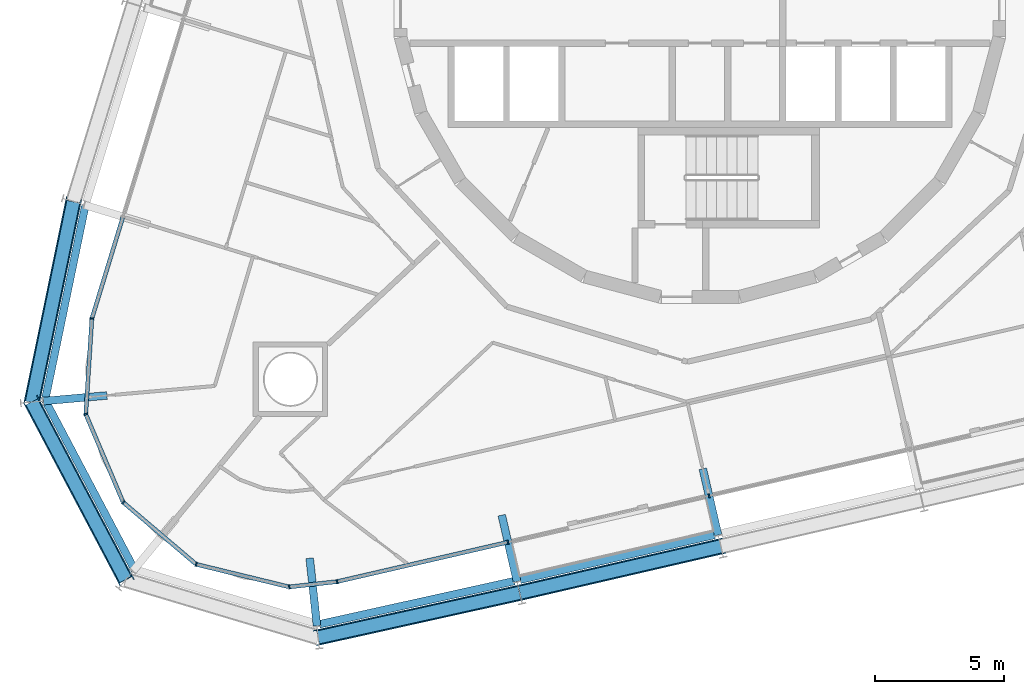
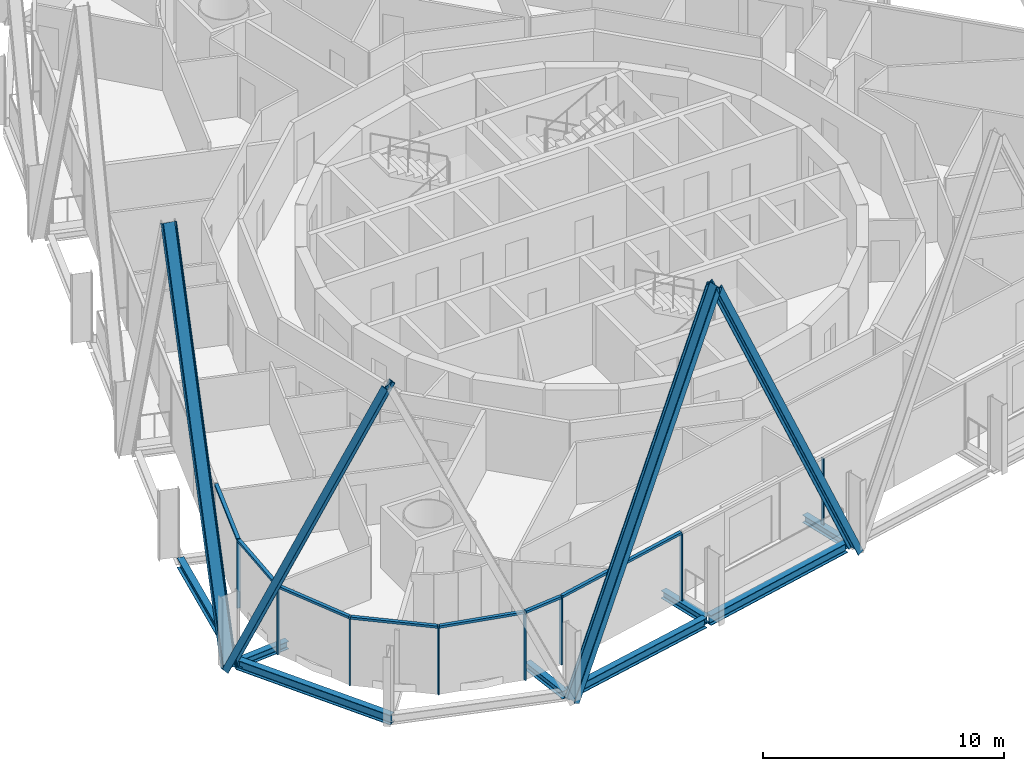
# One storey, part 3 of 18: 19 members, 8 beams, 2 elements without a shape of their own.
"""IFC4 building model written with IfcOpenShell, lengths in metres."""

from ifc_helpers import new_model, si_unit, direction, frame, origin, origin_2d, place, context, subcontext, project, spatial, rectangle, i_section, extrude, material, layer, layer_set, material_profile, profile_set, type_object, element, aggregate, save


model = new_model("IFC4")

# Units and contexts
model_context = context("Model", 3, precision=1e-05, world=origin(), true_north=direction((0.0, 1.0)))
body_context = subcontext(model_context, "Body", "Model", "MODEL_VIEW")
ifc_project = project(units=[si_unit("LENGTHUNIT", "METRE"), si_unit("AREAUNIT", "SQUARE_METRE"), si_unit("VOLUMEUNIT", "CUBIC_METRE"), si_unit("PLANEANGLEUNIT", "RADIAN"), si_unit("MASSUNIT", "GRAM", prefix="KILO")], contexts=[model_context])

# Site, building, storey
site_placement = place(None, origin())
site = spatial("IfcSite", under=ifc_project, at=site_placement, CompositionType="ELEMENT")
building_placement = place(site_placement, origin())
building = spatial("IfcBuilding", under=site, at=building_placement, Name="Spindle Arch Residences", CompositionType="ELEMENT")
storey_placement = place(building_placement, frame((0.0, 0.0, 127.39990234375)))
storey = spatial("IfcBuildingStorey", under=building, at=storey_placement, Name="L31", CompositionType="ELEMENT", Elevation=127.39990234375)

# Curtain wall, members
ifc_material_1 = material(Name="Aluminium bronze unitised frame with tinted glass", Category="aluminium")
ifc_layer_1 = layer(ifc_material_1, 0.159912109375)
ifc_layer_set_1 = layer_set([ifc_layer_1], Name="CW-D corner wall on the fillet arcs")
curtain_wall_type_1 = type_object("IfcCurtainWallType", Name="CW-D corner wall on the fillet arcs", PredefinedType="NOTDEFINED", material=ifc_layer_set_1)
curtain_wall_1_placement = place(storey_placement, origin())
curtain_wall_1 = element("IfcCurtainWall", 1, at=curtain_wall_1_placement, inside=storey, type_object=curtain_wall_type_1, Name="CW-D L31 run 5", PredefinedType="NOTDEFINED")
ifc_material_2 = material(Name="Aluminium bronze anodised mullion", Category="aluminium")
ifc_material_profile_1 = material_profile(ifc_material_2, rectangle(XDim=0.159912109375, YDim=0.06005859375, at=origin_2d()), Name="MU 60x160")
ifc_profile_set_1 = profile_set([ifc_material_profile_1], Name="Aluminium bronze anodised mullion")
member_type_1 = type_object("IfcMemberType", Name="Bronze mullion 60x160", PredefinedType="MULLION", material=ifc_profile_set_1)
member_1_placement = place(storey_placement, frame((-23.6572265625, -12.49267578125, -0.3798828125), z_axis=(0.0, 0.0, 1.0), x_axis=(0.997952993046, -0.063951729226, 0.0)))
member_1 = element("IfcMember", 2, at=member_1_placement, type_object=member_type_1, Name="CW-D mullion 01", PredefinedType="MULLION", context=body_context, shape_type="SweptSolid", body=[
    extrude(rectangle(XDim=0.159912109375, YDim=0.06005859375, at=origin_2d()), origin(), (0.0, 0.0, 1.0), 3.3798828125),
])
member_2_placement = place(storey_placement, frame((-23.8955078125, -16.2119140625, -0.3798828125), z_axis=(0.0, 0.0, 1.0), x_axis=(0.920504854032, 0.390731127124, 0.0)))
member_2 = element("IfcMember", 3, at=member_2_placement, type_object=member_type_1, Name="CW-D mullion 02", PredefinedType="MULLION", context=body_context, shape_type="SweptSolid", body=[
    extrude(rectangle(XDim=0.159912109375, YDim=0.06005859375, at=origin_2d()), origin(), (0.0, 0.0, 1.0), 3.3798828125),
])
member_3_placement = place(storey_placement, frame((-22.439208984375, -19.642333984375, -0.3798828125), z_axis=(0.0, 0.0, 1.0), x_axis=(0.647233374321, 0.762291912042, 0.0)))
member_3 = element("IfcMember", 4, at=member_3_placement, type_object=member_type_1, Name="CW-D mullion 03", PredefinedType="MULLION", context=body_context, shape_type="SweptSolid", body=[
    extrude(rectangle(XDim=0.159912109375, YDim=0.06005859375, at=origin_2d()), origin(), (0.0, 0.0, 1.0), 3.3798828125),
])
member_4_placement = place(storey_placement, frame((-19.598388671875, -22.054443359375, -0.3798828125), z_axis=(0.0, 0.0, 1.0), x_axis=(0.23627288281, 0.971686742139, 0.0)))
member_4 = element("IfcMember", 5, at=member_4_placement, type_object=member_type_1, Name="CW-D mullion 04", PredefinedType="MULLION", context=body_context, shape_type="SweptSolid", body=[
    extrude(rectangle(XDim=0.159912109375, YDim=0.06005859375, at=origin_2d()), origin(), (0.0, 0.0, 1.0), 3.3798828125),
])
member_5_placement = place(storey_placement, frame((-15.977294921875, -22.93505859375, -0.3798828125), z_axis=(0.0, 0.0, 1.0), x_axis=(-0.110312554381, 0.993896946542, 0.0)))
member_5 = element("IfcMember", 6, at=member_5_placement, type_object=member_type_1, Name="CW-D mullion 05", PredefinedType="MULLION", context=body_context, shape_type="SweptSolid", body=[
    extrude(rectangle(XDim=0.159912109375, YDim=0.06005859375, at=origin_2d()), origin(), (0.0, 0.0, 1.0), 3.3798828125),
])
member_6_placement = place(storey_placement, frame((-14.112548828125, -22.72802734375, -0.3798828125), z_axis=(0.0, 0.0, 1.0), x_axis=(-0.224951054344, 0.974370064785, 0.0)))
member_6 = element("IfcMember", 7, at=member_6_placement, type_object=member_type_1, Name="CW-D mullion 06", PredefinedType="MULLION", context=body_context, shape_type="SweptSolid", body=[
    extrude(rectangle(XDim=0.159912109375, YDim=0.06005859375, at=origin_2d()), origin(), (0.0, 0.0, 1.0), 3.3798828125),
])

ifc_material_3 = material(Name="Aluminium bronze unitised frame with tinted glass", Category="aluminium")
ifc_layer_2 = layer(ifc_material_3, 0.159912109375)
ifc_layer_set_2 = layer_set([ifc_layer_2], Name="CW-C typical residential unitised wall")
curtain_wall_type_2 = type_object("IfcCurtainWallType", Name="CW-C typical residential unitised wall", PredefinedType="NOTDEFINED", material=ifc_layer_set_2)
curtain_wall_2_placement = place(storey_placement, origin())
curtain_wall_2 = element("IfcCurtainWall", 8, at=curtain_wall_2_placement, inside=storey, type_object=curtain_wall_type_2, Name="CW-C L31 run 6", PredefinedType="NOTDEFINED")
member_7_placement = place(storey_placement, frame((-7.467529296875, -21.19384765625, -0.3798828125), z_axis=(0.0, 0.0, 1.0), x_axis=(-0.224951054344, 0.974370064785, 0.0)))
member_7 = element("IfcMember", 9, at=member_7_placement, type_object=member_type_1, Name="CW-C mullion 20", PredefinedType="MULLION", context=body_context, shape_type="SweptSolid", body=[
    extrude(rectangle(XDim=0.159912109375, YDim=0.06005859375, at=origin_2d()), origin(), (0.0, 0.0, 1.0), 3.3798828125),
])
member_8_placement = place(storey_placement, frame((0.355712890625, -19.3876953125, -0.3798828125), z_axis=(0.0, 0.0, 1.0), x_axis=(-0.224951054344, 0.974370064785, 0.0)))
member_8 = element("IfcMember", 10, at=member_8_placement, type_object=member_type_1, Name="CW-C mullion 21", PredefinedType="MULLION", context=body_context, shape_type="SweptSolid", body=[
    extrude(rectangle(XDim=0.159912109375, YDim=0.06005859375, at=origin_2d()), origin(), (0.0, 0.0, 1.0), 3.3798828125),
])
aggregate(curtain_wall_2, [member_7, member_8])

# Member
ifc_material_4 = material(Name="Aluminium bronze anodised transom", Category="aluminium")
ifc_material_profile_2 = material_profile(ifc_material_4, rectangle(XDim=0.159912109375, YDim=0.1201171875, at=origin_2d()), Name="TR 120x160")
ifc_profile_set_2 = profile_set([ifc_material_profile_2], Name="Aluminium bronze anodised transom")
member_type_2 = type_object("IfcMemberType", Name="Bronze transom 120x160", PredefinedType="USERDEFINED", material=ifc_profile_set_2)
member_9_placement = place(storey_placement, frame((-22.45458984375, -8.55908203125, 3.06005859375), z_axis=(-0.292362833345, -0.95630746817, 0.0), x_axis=(0.95630746817, -0.292362833345, 0.0)))
member_9 = element("IfcMember", 11, at=member_9_placement, type_object=member_type_2, Name="CW-D transom 00", ObjectType="TRANSOM", PredefinedType="USERDEFINED", context=body_context, shape_type="SweptSolid", body=[
    extrude(rectangle(XDim=0.159912109375, YDim=0.1201171875, at=origin_2d()), origin(), (0.0, 0.0, 1.0), 4.08349609375),
])

member_10_placement = place(storey_placement, frame((-23.6591796875, -12.522705078125, 3.06005859375), z_axis=(-0.063920256807, -0.997955009392, 0.0), x_axis=(0.997955009392, -0.063920256807, 0.0)))
member_10 = element("IfcMember", 12, at=member_10_placement, type_object=member_type_2, Name="CW-D transom 01", ObjectType="TRANSOM", PredefinedType="USERDEFINED", context=body_context, shape_type="SweptSolid", body=[
    extrude(rectangle(XDim=0.159912109375, YDim=0.1201171875, at=origin_2d()), origin(), (0.0, 0.0, 1.0), 3.666748046875),
])

member_11_placement = place(storey_placement, frame((-23.8837890625, -16.239501953125, 3.06005859375), z_axis=(0.39076699022, -0.920489630226, 0.0), x_axis=(0.920489630226, 0.39076699022, 0.0)))
member_11 = element("IfcMember", 13, at=member_11_placement, type_object=member_type_2, Name="CW-D transom 02", ObjectType="TRANSOM", PredefinedType="USERDEFINED", context=body_context, shape_type="SweptSolid", body=[
    extrude(rectangle(XDim=0.159912109375, YDim=0.1201171875, at=origin_2d()), origin(), (0.0, 0.0, 1.0), 3.666748046875),
])

member_12_placement = place(storey_placement, frame((-22.41650390625, -19.661865234375, 3.06005859375), z_axis=(0.762289120673, -0.647236661897, 0.0), x_axis=(0.647236661897, 0.762289120673, 0.0)))
member_12 = element("IfcMember", 14, at=member_12_placement, type_object=member_type_2, Name="CW-D transom 03", ObjectType="TRANSOM", PredefinedType="USERDEFINED", context=body_context, shape_type="SweptSolid", body=[
    extrude(rectangle(XDim=0.159912109375, YDim=0.1201171875, at=origin_2d()), origin(), (0.0, 0.0, 1.0), 3.666748046875),
])

member_13_placement = place(storey_placement, frame((-19.5693359375, -22.0615234375, 3.06005859375), z_axis=(0.971681239144, -0.236295513068, 0.0), x_axis=(0.236295513068, 0.971681239144, 0.0)))
member_13 = element("IfcMember", 15, at=member_13_placement, type_object=member_type_2, Name="CW-D transom 04", ObjectType="TRANSOM", PredefinedType="USERDEFINED", context=body_context, shape_type="SweptSolid", body=[
    extrude(rectangle(XDim=0.159912109375, YDim=0.1201171875, at=origin_2d()), origin(), (0.0, 0.0, 1.0), 3.666748046875),
])

member_14_placement = place(storey_placement, frame((-15.947509765625, -22.931640625, 3.06005859375), z_axis=(0.993906663087, 0.110224974808, 0.0), x_axis=(-0.110224974808, 0.993906663087, 0.0)))
member_14 = element("IfcMember", 16, at=member_14_placement, type_object=member_type_2, Name="CW-D transom 05", ObjectType="TRANSOM", PredefinedType="USERDEFINED", context=body_context, shape_type="SweptSolid", body=[
    extrude(rectangle(XDim=0.159912109375, YDim=0.1201171875, at=origin_2d()), origin(), (0.0, 0.0, 1.0), 1.816162109375),
])

member_15_placement = place(storey_placement, frame((-14.083251953125, -22.721435546875, 3.06005859375), z_axis=(0.974365014398, 0.224972928856, 0.0), x_axis=(-0.224972928856, 0.974365014398, 0.0)))
member_15 = element("IfcMember", 17, at=member_15_placement, type_object=member_type_2, Name="CW-D transom 06", ObjectType="TRANSOM", PredefinedType="USERDEFINED", context=body_context, shape_type="SweptSolid", body=[
    extrude(rectangle(XDim=0.159912109375, YDim=0.1201171875, at=origin_2d()), origin(), (0.0, 0.0, 1.0), 6.759765625),
])

aggregate(curtain_wall_1, [member_9, member_1, member_10, member_2, member_11, member_3, member_12, member_4, member_13, member_5, member_14, member_6, member_15])

# Members
ifc_material_5 = material(Name="Steel S460ML, intumescent coating R 240", Category="steel")
ifc_material_profile_3 = material_profile(ifc_material_5, i_section(OverallWidth=0.304931640625, OverallDepth=0.6201171875, WebThickness=0.02099609375, FlangeThickness=0.0400390625, FilletRadius=0.027099609375, at=origin_2d()), Name="HEM 600")
ifc_profile_set_3 = profile_set([ifc_material_profile_3], Name="Steel S460ML, intumescent coating R 240")
member_type_3 = type_object("IfcMemberType", Name="Diagrid diagonal HEM 600", PredefinedType="BRACE", material=ifc_profile_set_3)
member_16_placement = place(storey_placement, frame((-25.9912109375, -15.742919921875, -0.6298828125), z_axis=(0.084835502523, 0.410213665905, 0.908035068605), x_axis=(-0.183897555491, -0.889218406749, 0.418894156301)))
element("IfcMember", 18, at=member_16_placement, inside=storey, type_object=member_type_3, Name="Diagrid diagonal 3.2.17", PredefinedType="BRACE", context=body_context, shape_type="SweptSolid", body=[
    extrude(i_section(OverallWidth=0.304931640625, OverallDepth=0.6201171875, WebThickness=0.02099609375, FlangeThickness=0.0400390625, FilletRadius=0.027099609375, at=origin_2d()), origin(), (0.0, 0.0, 1.0), 19.022216796875),
])
member_17_placement = place(storey_placement, frame((-25.9912109375, -15.742919921875, -0.6298828125), z_axis=(0.192449681097, -0.364747900203, 0.911000597993), x_axis=(-0.425120357269, 0.805726238482, 0.412405032046)))
element("IfcMember", 19, at=member_17_placement, inside=storey, type_object=member_type_3, Name="Diagrid diagonal 3.2.18", PredefinedType="BRACE", context=body_context, shape_type="SweptSolid", body=[
    extrude(i_section(OverallWidth=0.304931640625, OverallDepth=0.6201171875, WebThickness=0.02099609375, FlangeThickness=0.0400390625, FilletRadius=0.027099609375, at=origin_2d()), origin(), (0.0, 0.0, 1.0), 18.96044921875),
])
member_18_placement = place(storey_placement, frame((-14.85009765625, -24.897216796875, -0.6298828125), z_axis=(0.411454544291, 0.09109680518, 0.906866324255), x_axis=(-0.885424718051, -0.196034687576, 0.42141840246)))
element("IfcMember", 20, at=member_18_placement, inside=storey, type_object=member_type_3, Name="Diagrid diagonal 3.2.20", PredefinedType="BRACE", context=body_context, shape_type="SweptSolid", body=[
    extrude(i_section(OverallWidth=0.304931640625, OverallDepth=0.6201171875, WebThickness=0.02099609375, FlangeThickness=0.0400390625, FilletRadius=0.027099609375, at=origin_2d()), origin(), (0.0, 0.0, 1.0), 19.046875),
])
member_19_placement = place(storey_placement, frame((0.810302734375, -21.35595703125, -0.6298828125), z_axis=(-0.410726178799, -0.094821415845, 0.906814702763), x_axis=(0.883574135237, 0.203984442268, 0.421529470919)))
element("IfcMember", 21, at=member_19_placement, inside=storey, type_object=member_type_3, Name="Diagrid diagonal 3.2.21", PredefinedType="BRACE", context=body_context, shape_type="SweptSolid", body=[
    extrude(i_section(OverallWidth=0.304931640625, OverallDepth=0.6201171875, WebThickness=0.02099609375, FlangeThickness=0.0400390625, FilletRadius=0.027099609375, at=origin_2d()), origin(), (0.0, 0.0, 1.0), 19.0478515625),
])

# Beams
ifc_material_6 = material(Name="Steel S460ML, intumescent coating R 120", Category="steel")
ifc_material_profile_4 = material_profile(ifc_material_6, i_section(OverallWidth=0.300048828125, OverallDepth=0.5, WebThickness=0.014404296875, FlangeThickness=0.028076171875, FilletRadius=0.027099609375, at=origin_2d()), Name="HEB 500")
ifc_profile_set_4 = profile_set([ifc_material_profile_4], Name="Steel S460ML, intumescent coating R 120")
beam_type_1 = type_object("IfcBeamType", Name="Exoskeleton edge beam HEB 500", PredefinedType="BEAM", material=ifc_profile_set_4)
beam_1_placement = place(storey_placement, frame((-23.91650390625, -8.1181640625, -0.6298828125), z_axis=(-0.202483065161, -0.979285764383, 0.0), x_axis=(0.979285764383, -0.202483065161, 0.0)))
element("IfcBeam", 22, at=beam_1_placement, inside=storey, type_object=beam_type_1, Name="Exoskeleton edge beam 17", PredefinedType="BEAM", context=body_context, shape_type="SweptSolid", body=[
    extrude(i_section(OverallWidth=0.300048828125, OverallDepth=0.5, WebThickness=0.014404296875, FlangeThickness=0.028076171875, FilletRadius=0.027099609375, at=origin_2d()), origin(), (0.0, 0.0, 1.0), 7.708251953125),
])
beam_2_placement = place(storey_placement, frame((-25.4970703125, -15.62939453125, -0.6298828125), z_axis=(0.466652663296, -0.884440666093, 0.0), x_axis=(0.884440666093, 0.466652663296, 0.0)))
element("IfcBeam", 23, at=beam_2_placement, inside=storey, type_object=beam_type_1, Name="Exoskeleton edge beam 18", PredefinedType="BEAM", context=body_context, shape_type="SweptSolid", body=[
    extrude(i_section(OverallWidth=0.300048828125, OverallDepth=0.5, WebThickness=0.014404296875, FlangeThickness=0.028076171875, FilletRadius=0.027099609375, at=origin_2d()), origin(), (0.0, 0.0, 1.0), 7.559326171875),
])
beam_3_placement = place(storey_placement, frame((-14.804443359375, -24.385986328125, -0.6298828125), z_axis=(0.97635466486, 0.216174856093, 0.0), x_axis=(-0.216174856093, 0.97635466486, 0.0)))
element("IfcBeam", 24, at=beam_3_placement, inside=storey, type_object=beam_type_1, Name="Exoskeleton edge beam 20", PredefinedType="BEAM", context=body_context, shape_type="SweptSolid", body=[
    extrude(i_section(OverallWidth=0.300048828125, OverallDepth=0.5, WebThickness=0.014404296875, FlangeThickness=0.028076171875, FilletRadius=0.027099609375, at=origin_2d()), origin(), (0.0, 0.0, 1.0), 7.7666015625),
])
beam_4_placement = place(storey_placement, frame((-6.99658203125, -22.655517578125, -0.6298828125), z_axis=(0.974365237053, 0.224971964525, 0.0), x_axis=(-0.224971964525, 0.974365237053, 0.0)))
element("IfcBeam", 25, at=beam_4_placement, inside=storey, type_object=beam_type_1, Name="Exoskeleton edge beam 21", PredefinedType="BEAM", context=body_context, shape_type="SweptSolid", body=[
    extrude(i_section(OverallWidth=0.300048828125, OverallDepth=0.5, WebThickness=0.014404296875, FlangeThickness=0.028076171875, FilletRadius=0.027099609375, at=origin_2d()), origin(), (0.0, 0.0, 1.0), 7.76904296875),
])
ifc_material_7 = material(Name="Steel S460ML, intumescent coating R 120", Category="steel")
ifc_material_profile_5 = material_profile(ifc_material_7, i_section(OverallWidth=0.300048828125, OverallDepth=0.389892578125, WebThickness=0.010986328125, FlangeThickness=0.01904296875, FilletRadius=0.027099609375, at=origin_2d()), Name="HEA 400")
ifc_profile_set_5 = profile_set([ifc_material_profile_5], Name="Steel S460ML, intumescent coating R 120")
beam_type_2 = type_object("IfcBeamType", Name="Floor outrigger HEA 400", PredefinedType="BEAM", material=ifc_profile_set_5)
beam_5_placement = place(storey_placement, frame((-25.542724609375, -15.703369140625, -0.574951171875), z_axis=(0.996132127572, 0.087867994282, 0.0), x_axis=(-0.087867994282, 0.996132127572, 0.0)))
element("IfcBeam", 26, at=beam_5_placement, inside=storey, type_object=beam_type_2, Name="Floor outrigger 18", PredefinedType="BEAM", context=body_context, shape_type="SweptSolid", body=[
    extrude(i_section(OverallWidth=0.300048828125, OverallDepth=0.389892578125, WebThickness=0.010986328125, FlangeThickness=0.01904296875, FilletRadius=0.027099609375, at=origin_2d()), origin(), (0.0, 0.0, 1.0), 2.48388671875),
])
for number, where, z_axis, x_axis, name in (
    (27, (-14.898193359375, -24.44970703125, -0.574951171875), (-0.106962509845, 0.994263054472, 0.0), (-0.994263054472, -0.106962509845, 0.0), "Floor outrigger 20"),
    (28, (-7.1142578125, -22.7236328125, -0.574951171875), (-0.224980619228, 0.974363238721, 0.0), (-0.974363238721, -0.224980619228, 0.0), "Floor outrigger 21"),
    (29, (0.708984375, -20.91748046875, -0.574951171875), (-0.224980619228, 0.974363238721, 0.0), (-0.974363238721, -0.224980619228, 0.0), "Floor outrigger 22"),
):
    element("IfcBeam", number, at=place(storey_placement, frame(where, z_axis=z_axis, x_axis=x_axis)), inside=storey, type_object=beam_type_2, Name=name, PredefinedType="BEAM", context=body_context, shape_type="SweptSolid", body=[
        extrude(i_section(OverallWidth=0.300048828125, OverallDepth=0.389892578125, WebThickness=0.010986328125, FlangeThickness=0.01904296875, FilletRadius=0.027099609375, at=origin_2d()), origin(), (0.0, 0.0, 1.0), 2.64990234375),
    ])

save(model, "model.ifc")
